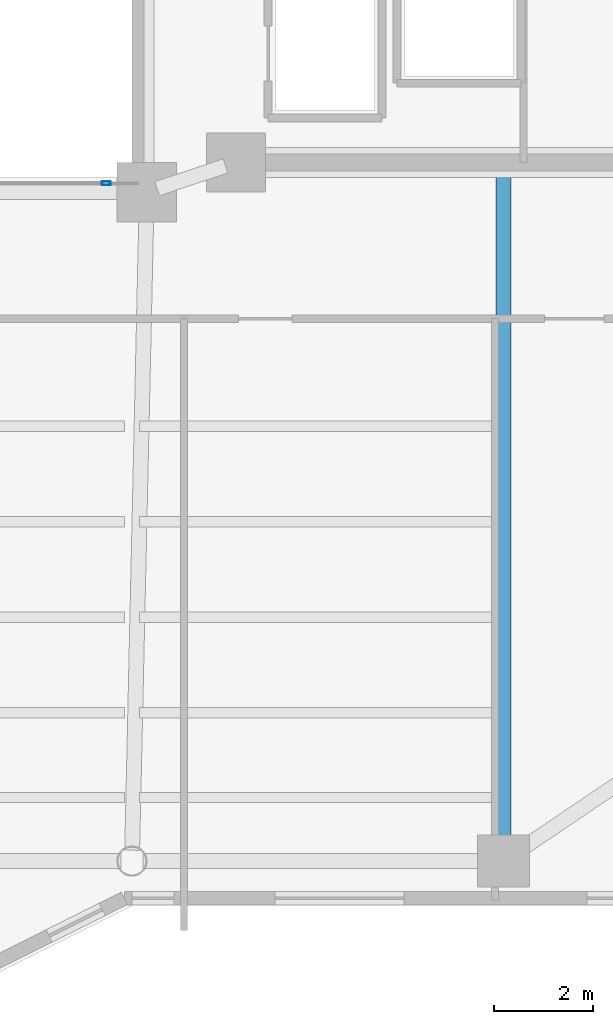
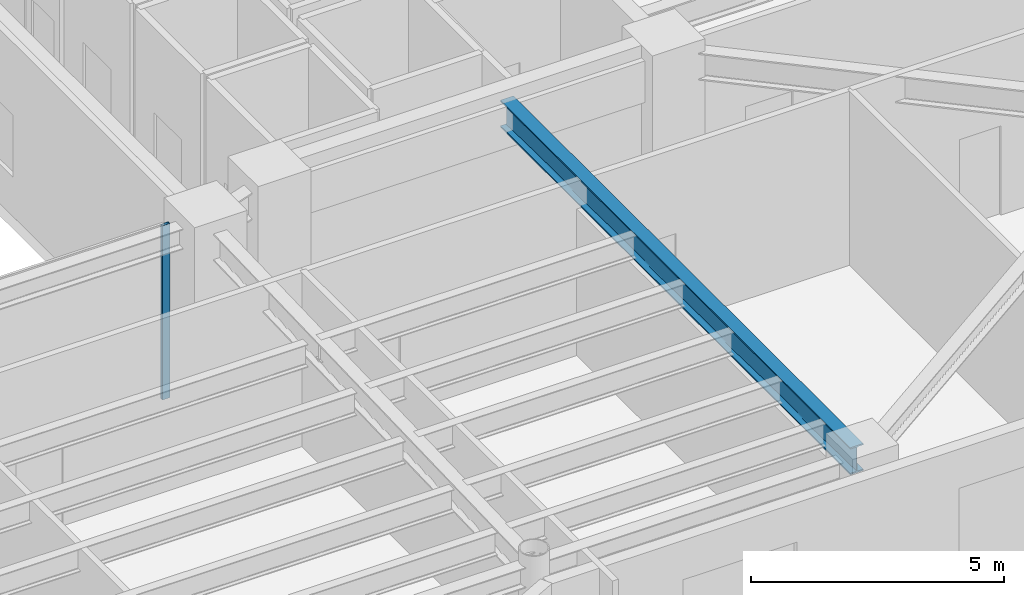
# One storey, part 14 of 38: 1 beam, 1 member, 1 element without a shape of its own.
"""IFC4 building model written with IfcOpenShell, lengths in metres."""

from ifc_helpers import new_model, si_unit, direction, frame, origin, origin_2d, place, context, subcontext, project, spatial, hollow_rectangle, i_section, extrude, material, layer, layer_set, material_profile, profile_set, type_object, element, aggregate, save


model = new_model("IFC4")

# Units and contexts
model_context = context("Model", 3, precision=1e-05, world=origin(), true_north=direction((0.0, 1.0)))
body_context = subcontext(model_context, "Body", "Model", "MODEL_VIEW")
ifc_project = project(units=[si_unit("LENGTHUNIT", "METRE"), si_unit("AREAUNIT", "SQUARE_METRE"), si_unit("VOLUMEUNIT", "CUBIC_METRE"), si_unit("PLANEANGLEUNIT", "RADIAN"), si_unit("MASSUNIT", "GRAM", prefix="KILO")], contexts=[model_context])

# Site, building, storey
site_placement = place(None, origin())
site = spatial("IfcSite", under=ifc_project, at=site_placement, CompositionType="ELEMENT")
building_placement = place(site_placement, origin())
building = spatial("IfcBuilding", under=site, at=building_placement, Name="Tarnavaz Court Tower", CompositionType="ELEMENT")
storey_placement = place(building_placement, frame((0.0, 0.0, 123.0)))
storey = spatial("IfcBuildingStorey", under=building, at=storey_placement, Name="L33", CompositionType="ELEMENT", Elevation=123.0)

# Beam
ifc_material_1 = material(Name="Steel S355", Category="steel")
ifc_material_profile_1 = material_profile(ifc_material_1, i_section(OverallWidth=0.300048828125, OverallDepth=0.64990234375, WebThickness=0.01611328125, FlangeThickness=0.031005859375, FilletRadius=0.027099609375, at=origin_2d()), Name="HEB 650")
ifc_profile_set_1 = profile_set([ifc_material_profile_1], Name="Steel S355")
beam_type = type_object("IfcBeamType", Name="BM-G-HEB650", PredefinedType="USERDEFINED", material=ifc_profile_set_1)
beam_placement = place(storey_placement, frame((15.0, -7.239990234375, 3.875), z_axis=(0.0, -1.0, 0.0), x_axis=(1.0, 0.0, 0.0)))
element("IfcBeam", 1, at=beam_placement, inside=storey, type_object=beam_type, Name="L33 Beam RG-08", ObjectType="GIRDER", PredefinedType="USERDEFINED", context=body_context, shape_type="SweptSolid", body=[
    extrude(i_section(OverallWidth=0.300048828125, OverallDepth=0.64990234375, WebThickness=0.01611328125, FlangeThickness=0.031005859375, FilletRadius=0.027099609375, at=origin_2d()), origin(), (0.0, 0.0, 1.0), 13.840087890625),
])

# Curtain wall, member
ifc_material_2 = material(Name="Anodised Aluminium 6063-T6 and Solar Low-E Glazing", Category="aluminium")
ifc_layer = layer(ifc_material_2, 0.139892578125)
ifc_layer_set = layer_set([ifc_layer], Name="Anodised Aluminium 6063-T6 and Solar Low-E Glazing")
curtain_wall_type = type_object("IfcCurtainWallType", Name="CW-SYS-04", PredefinedType="NOTDEFINED", material=ifc_layer_set)
curtain_wall_placement = place(storey_placement, origin())
curtain_wall = element("IfcCurtainWall", 2, at=curtain_wall_placement, inside=storey, type_object=curtain_wall_type, Name="L33 Badgir Courtyard Curtain Wall S", PredefinedType="NOTDEFINED")
ifc_material_3 = material(Name="Anodised Aluminium 6063-T6", Category="aluminium")
ifc_material_profile_2 = material_profile(ifc_material_3, hollow_rectangle(XDim=0.074951171875, YDim=0.179931640625, WallThickness=0.0048828125, InnerFilletRadius=0.0048828125, OuterFilletRadius=0.010009765625, at=origin_2d()), Name="ALU RHS 180X75X5")
ifc_profile_set_2 = profile_set([ifc_material_profile_2], Name="Anodised Aluminium 6063-T6")
member_type = type_object("IfcMemberType", Name="CW-MUL-180", PredefinedType="MULLION", material=ifc_profile_set_2)
member_placement = place(storey_placement, frame((6.982421875, -7.6201171875, 0.0), z_axis=(0.0, 0.0, 1.0), x_axis=(0.0, 1.0, 0.0)))
member = element("IfcMember", 3, at=member_placement, type_object=member_type, Name="CW mullion 4", PredefinedType="MULLION", context=body_context, shape_type="SweptSolid", body=[
    extrude(hollow_rectangle(XDim=0.074951171875, YDim=0.179931640625, WallThickness=0.0048828125, InnerFilletRadius=0.0048828125, OuterFilletRadius=0.010009765625, at=origin_2d()), origin(), (0.0, 0.0, 1.0), 4.199951171875),
])
aggregate(curtain_wall, [member])

save(model, "model.ifc")
